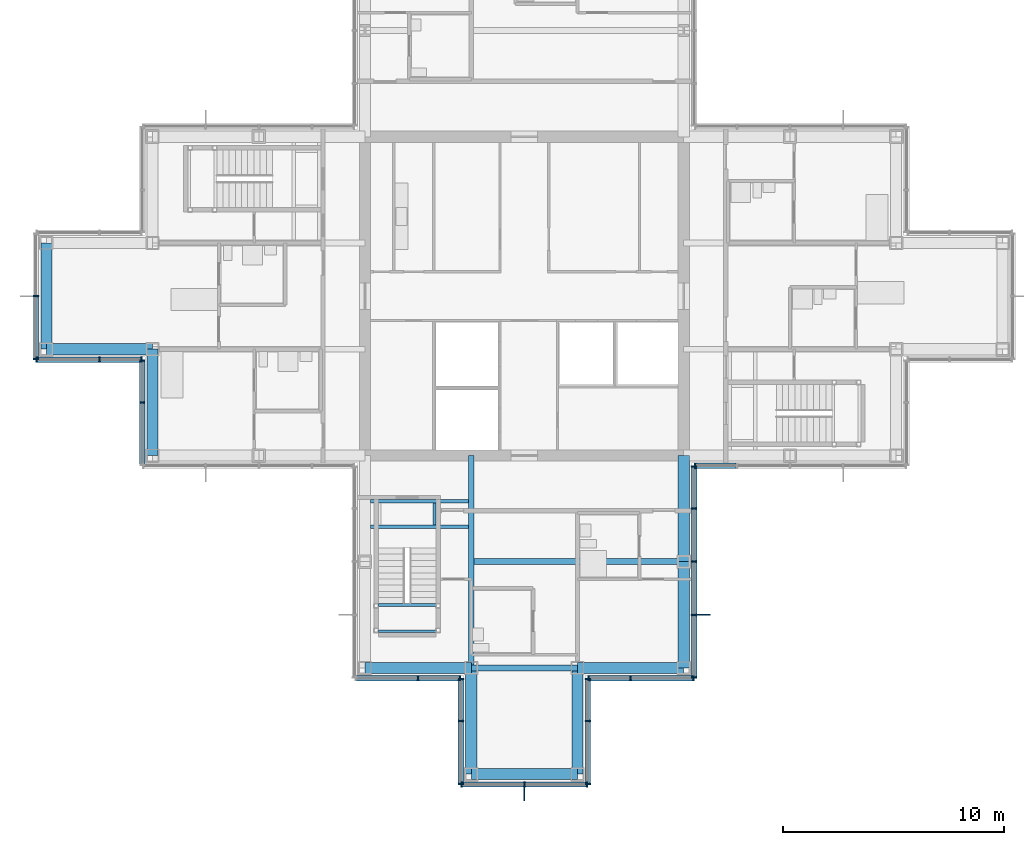
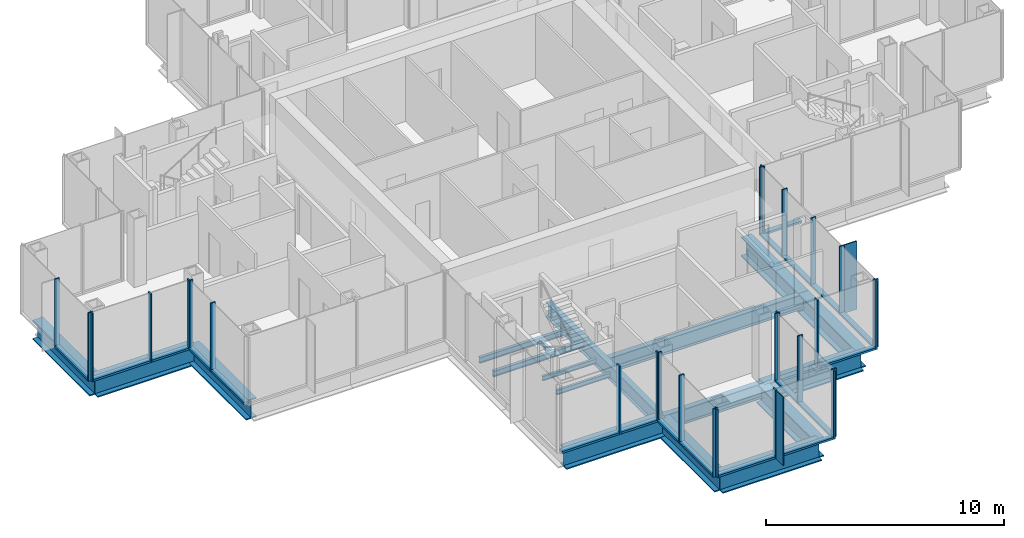
# One storey, part 6 of 17: 49 members, 18 beams, 10 elements without a shape of their own.
"""IFC4 building model written with IfcOpenShell, lengths in metres."""

from ifc_helpers import new_model, si_unit, direction, frame, origin, origin_2d, place, context, subcontext, project, spatial, rectangle, i_section, extrude, material, material_profile, profile_set, type_object, element, aggregate, save


model = new_model("IFC4")

# Units and contexts
model_context = context("Model", 3, precision=1e-05, world=origin(), true_north=direction((0.0, 1.0)))
body_context = subcontext(model_context, "Body", "Model", "MODEL_VIEW")
ifc_project = project(units=[si_unit("LENGTHUNIT", "METRE"), si_unit("AREAUNIT", "SQUARE_METRE"), si_unit("VOLUMEUNIT", "CUBIC_METRE"), si_unit("PLANEANGLEUNIT", "RADIAN"), si_unit("MASSUNIT", "GRAM", prefix="KILO")], contexts=[model_context])

# Site, building, storey
site_placement = place(None, origin())
site = spatial("IfcSite", under=ifc_project, at=site_placement, CompositionType="ELEMENT")
building_placement = place(site_placement, origin())
building = spatial("IfcBuilding", under=site, at=building_placement, Name="Kvirike Care Tower", CompositionType="ELEMENT")
storey_placement = place(building_placement, frame((0.0, 0.0, 165.5)))
storey = spatial("IfcBuildingStorey", under=building, at=storey_placement, Name="L45", CompositionType="ELEMENT", Elevation=165.5)

# Curtain wall, member
ifc_material_1 = material(Name="Anodised aluminium stick system", Category="aluminium")
curtain_wall_type = type_object("IfcCurtainWallType", Name="CW-C STICK CURTAIN WALL", PredefinedType="NOTDEFINED", material=ifc_material_1)
curtain_wall_1_placement = place(storey_placement, origin())
curtain_wall_1 = element("IfcCurtainWall", 1, at=curtain_wall_1_placement, inside=storey, type_object=curtain_wall_type, Name="Curtain wall L45 face 25", PredefinedType="NOTDEFINED")
ifc_material_2 = material(Name="Bronze anodised aluminium fin", Category="aluminium")
ifc_material_profile_1 = material_profile(ifc_material_2, rectangle(XDim=0.050048828125, YDim=0.60009765625, at=origin_2d()), Name="BRONZE FIN 600")
ifc_profile_set_1 = profile_set([ifc_material_profile_1], Name="Bronze anodised aluminium fin")
member_type_1 = type_object("IfcMemberType", Name="BRONZE FIN 600", PredefinedType="USERDEFINED", material=ifc_profile_set_1)
member_1_placement = place(storey_placement, frame((21.60009765625, 13.510009765625, 0.0), z_axis=(0.0, 0.0, 1.0), x_axis=(1.0, 0.0, 0.0)))
member_1 = element("IfcMember", 2, at=member_1_placement, type_object=member_type_1, Name="Bronze fin L45 face 25.2", ObjectType="FIN", PredefinedType="USERDEFINED", context=body_context, shape_type="SweptSolid", body=[
    extrude(rectangle(XDim=0.050048828125, YDim=0.60009765625, at=origin_2d()), origin(), (0.0, 0.0, 1.0), 3.5),
])

curtain_wall_2_placement = place(storey_placement, origin())
curtain_wall_2 = element("IfcCurtainWall", 3, at=curtain_wall_2_placement, inside=storey, type_object=curtain_wall_type, Name="Curtain wall L45 face 28", PredefinedType="NOTDEFINED")
member_2_placement = place(storey_placement, frame((29.68994140625, 21.60009765625, 0.0), z_axis=(0.0, 0.0, 1.0), x_axis=(0.0, 1.0, 0.0)))
member_2 = element("IfcMember", 4, at=member_2_placement, type_object=member_type_1, Name="Bronze fin L45 face 28.2", ObjectType="FIN", PredefinedType="USERDEFINED", context=body_context, shape_type="SweptSolid", body=[
    extrude(rectangle(XDim=0.050048828125, YDim=0.60009765625, at=origin_2d()), origin(), (0.0, 0.0, 1.0), 3.5),
])

curtain_wall_3_placement = place(storey_placement, origin())
curtain_wall_3 = element("IfcCurtainWall", 5, at=curtain_wall_3_placement, inside=storey, type_object=curtain_wall_type, Name="Curtain wall L45 face 1", PredefinedType="NOTDEFINED")
ifc_material_3 = material(Name="Bronze anodised aluminium mullion", Category="aluminium")
ifc_material_profile_2 = material_profile(ifc_material_3, rectangle(XDim=0.06494140625, YDim=0.239990234375, at=origin_2d()), Name="CW-C MULLION 65x240")
ifc_profile_set_2 = profile_set([ifc_material_profile_2], Name="Bronze anodised aluminium mullion")
member_type_2 = type_object("IfcMemberType", Name="CW-C MULLION 65x240", PredefinedType="MULLION", material=ifc_profile_set_2)
member_3_placement = place(storey_placement, frame((29.302490234375, 28.330078125, 0.0), z_axis=(0.0, 0.0, 1.0), x_axis=(1.0, 0.0, 0.0)))
member_3 = element("IfcMember", 6, at=member_3_placement, type_object=member_type_2, Name="CW-C mullion L45 face 1.1", PredefinedType="MULLION", context=body_context, shape_type="SweptSolid", body=[
    extrude(rectangle(XDim=0.06494140625, YDim=0.239990234375, at=origin_2d()), origin(), (0.0, 0.0, 1.0), 3.5),
])

# Curtain wall, members
curtain_wall_4_placement = place(storey_placement, origin())
curtain_wall_4 = element("IfcCurtainWall", 7, at=curtain_wall_4_placement, inside=storey, type_object=curtain_wall_type, Name="Curtain wall L45 face 18", PredefinedType="NOTDEFINED")
member_4_placement = place(storey_placement, frame((-0.469970703125, 36.0, 0.0), z_axis=(0.0, 0.0, 1.0), x_axis=(0.0, -1.0, 0.0)))
member_4 = element("IfcMember", 8, at=member_4_placement, type_object=member_type_2, Name="CW-C mullion L45 face 18.2", PredefinedType="MULLION", context=body_context, shape_type="SweptSolid", body=[
    extrude(rectangle(XDim=0.06494140625, YDim=0.239990234375, at=origin_2d()), origin(), (0.0, 0.0, 1.0), 3.5),
])
member_5_placement = place(storey_placement, frame((-0.469970703125, 33.16259765625, 0.0), z_axis=(0.0, 0.0, 1.0), x_axis=(0.0, -1.0, 0.0)))
member_5 = element("IfcMember", 9, at=member_5_placement, type_object=member_type_2, Name="CW-C mullion L45 face 18.3", PredefinedType="MULLION", context=body_context, shape_type="SweptSolid", body=[
    extrude(rectangle(XDim=0.06494140625, YDim=0.239990234375, at=origin_2d()), origin(), (0.0, 0.0, 1.0), 3.5),
])

curtain_wall_5_placement = place(storey_placement, origin())
curtain_wall_5 = element("IfcCurtainWall", 10, at=curtain_wall_5_placement, inside=storey, type_object=curtain_wall_type, Name="Curtain wall L45 face 19", PredefinedType="NOTDEFINED")
member_6_placement = place(storey_placement, frame((-0.4375, 33.1298828125, 0.0), z_axis=(0.0, 0.0, 1.0), x_axis=(1.0, 0.0, 0.0)))
member_6 = element("IfcMember", 11, at=member_6_placement, type_object=member_type_2, Name="CW-C mullion L45 face 19.1", PredefinedType="MULLION", context=body_context, shape_type="SweptSolid", body=[
    extrude(rectangle(XDim=0.06494140625, YDim=0.239990234375, at=origin_2d()), origin(), (0.0, 0.0, 1.0), 3.5),
])
member_7_placement = place(storey_placement, frame((2.39990234375, 33.1298828125, 0.0), z_axis=(0.0, 0.0, 1.0), x_axis=(1.0, 0.0, 0.0)))
member_7 = element("IfcMember", 12, at=member_7_placement, type_object=member_type_2, Name="CW-C mullion L45 face 19.2", PredefinedType="MULLION", context=body_context, shape_type="SweptSolid", body=[
    extrude(rectangle(XDim=0.06494140625, YDim=0.239990234375, at=origin_2d()), origin(), (0.0, 0.0, 1.0), 3.5),
])
member_8_placement = place(storey_placement, frame((4.297607421875, 33.1298828125, 0.0), z_axis=(0.0, 0.0, 1.0), x_axis=(1.0, 0.0, 0.0)))
member_8 = element("IfcMember", 13, at=member_8_placement, type_object=member_type_2, Name="CW-C mullion L45 face 19.3", PredefinedType="MULLION", context=body_context, shape_type="SweptSolid", body=[
    extrude(rectangle(XDim=0.06494140625, YDim=0.239990234375, at=origin_2d()), origin(), (0.0, 0.0, 1.0), 3.5),
])

curtain_wall_6_placement = place(storey_placement, origin())
curtain_wall_6 = element("IfcCurtainWall", 14, at=curtain_wall_6_placement, inside=storey, type_object=curtain_wall_type, Name="Curtain wall L45 face 20", PredefinedType="NOTDEFINED")
member_9_placement = place(storey_placement, frame((4.330078125, 33.097412109375, 0.0), z_axis=(0.0, 0.0, 1.0), x_axis=(0.0, -1.0, 0.0)))
member_9 = element("IfcMember", 15, at=member_9_placement, type_object=member_type_2, Name="CW-C mullion L45 face 20.1", PredefinedType="MULLION", context=body_context, shape_type="SweptSolid", body=[
    extrude(rectangle(XDim=0.06494140625, YDim=0.239990234375, at=origin_2d()), origin(), (0.0, 0.0, 1.0), 3.5),
])
member_10_placement = place(storey_placement, frame((4.330078125, 31.199951171875, 0.0), z_axis=(0.0, 0.0, 1.0), x_axis=(0.0, -1.0, 0.0)))
member_10 = element("IfcMember", 16, at=member_10_placement, type_object=member_type_2, Name="CW-C mullion L45 face 20.2", PredefinedType="MULLION", context=body_context, shape_type="SweptSolid", body=[
    extrude(rectangle(XDim=0.06494140625, YDim=0.239990234375, at=origin_2d()), origin(), (0.0, 0.0, 1.0), 3.5),
])

curtain_wall_7_placement = place(storey_placement, origin())
curtain_wall_7 = element("IfcCurtainWall", 17, at=curtain_wall_7_placement, inside=storey, type_object=curtain_wall_type, Name="Curtain wall L45 face 23", PredefinedType="NOTDEFINED")
member_11_placement = place(storey_placement, frame((16.800048828125, 18.72998046875, 0.0), z_axis=(0.0, 0.0, 1.0), x_axis=(1.0, 0.0, 0.0)))
member_11 = element("IfcMember", 18, at=member_11_placement, type_object=member_type_2, Name="CW-C mullion L45 face 23.2", PredefinedType="MULLION", context=body_context, shape_type="SweptSolid", body=[
    extrude(rectangle(XDim=0.06494140625, YDim=0.239990234375, at=origin_2d()), origin(), (0.0, 0.0, 1.0), 3.5),
])
member_12_placement = place(storey_placement, frame((18.697509765625, 18.72998046875, 0.0), z_axis=(0.0, 0.0, 1.0), x_axis=(1.0, 0.0, 0.0)))
member_12 = element("IfcMember", 19, at=member_12_placement, type_object=member_type_2, Name="CW-C mullion L45 face 23.3", PredefinedType="MULLION", context=body_context, shape_type="SweptSolid", body=[
    extrude(rectangle(XDim=0.06494140625, YDim=0.239990234375, at=origin_2d()), origin(), (0.0, 0.0, 1.0), 3.5),
])

curtain_wall_8_placement = place(storey_placement, origin())
curtain_wall_8 = element("IfcCurtainWall", 20, at=curtain_wall_8_placement, inside=storey, type_object=curtain_wall_type, Name="Curtain wall L45 face 24", PredefinedType="NOTDEFINED")
member_13_placement = place(storey_placement, frame((18.72998046875, 18.697509765625, 0.0), z_axis=(0.0, 0.0, 1.0), x_axis=(0.0, -1.0, 0.0)))
member_13 = element("IfcMember", 21, at=member_13_placement, type_object=member_type_2, Name="CW-C mullion L45 face 24.1", PredefinedType="MULLION", context=body_context, shape_type="SweptSolid", body=[
    extrude(rectangle(XDim=0.06494140625, YDim=0.239990234375, at=origin_2d()), origin(), (0.0, 0.0, 1.0), 3.5),
])
member_14_placement = place(storey_placement, frame((18.72998046875, 16.800048828125, 0.0), z_axis=(0.0, 0.0, 1.0), x_axis=(0.0, -1.0, 0.0)))
member_14 = element("IfcMember", 22, at=member_14_placement, type_object=member_type_2, Name="CW-C mullion L45 face 24.2", PredefinedType="MULLION", context=body_context, shape_type="SweptSolid", body=[
    extrude(rectangle(XDim=0.06494140625, YDim=0.239990234375, at=origin_2d()), origin(), (0.0, 0.0, 1.0), 3.5),
])
member_15_placement = place(storey_placement, frame((18.72998046875, 13.96240234375, 0.0), z_axis=(0.0, 0.0, 1.0), x_axis=(0.0, -1.0, 0.0)))
member_15 = element("IfcMember", 23, at=member_15_placement, type_object=member_type_2, Name="CW-C mullion L45 face 24.3", PredefinedType="MULLION", context=body_context, shape_type="SweptSolid", body=[
    extrude(rectangle(XDim=0.06494140625, YDim=0.239990234375, at=origin_2d()), origin(), (0.0, 0.0, 1.0), 3.5),
])

# Member
member_16_placement = place(storey_placement, frame((18.762451171875, 13.929931640625, 0.0), z_axis=(0.0, 0.0, 1.0), x_axis=(1.0, 0.0, 0.0)))
member_16 = element("IfcMember", 24, at=member_16_placement, type_object=member_type_2, Name="CW-C mullion L45 face 25.1", PredefinedType="MULLION", context=body_context, shape_type="SweptSolid", body=[
    extrude(rectangle(XDim=0.06494140625, YDim=0.239990234375, at=origin_2d()), origin(), (0.0, 0.0, 1.0), 3.5),
])

member_17_placement = place(storey_placement, frame((21.60009765625, 13.929931640625, 0.0), z_axis=(0.0, 0.0, 1.0), x_axis=(1.0, 0.0, 0.0)))
member_17 = element("IfcMember", 25, at=member_17_placement, type_object=member_type_2, Name="CW-C mullion L45 face 25.2", PredefinedType="MULLION", context=body_context, shape_type="SweptSolid", body=[
    extrude(rectangle(XDim=0.06494140625, YDim=0.239990234375, at=origin_2d()), origin(), (0.0, 0.0, 1.0), 3.5),
])

member_18_placement = place(storey_placement, frame((24.4375, 13.929931640625, 0.0), z_axis=(0.0, 0.0, 1.0), x_axis=(1.0, 0.0, 0.0)))
member_18 = element("IfcMember", 26, at=member_18_placement, type_object=member_type_2, Name="CW-C mullion L45 face 25.3", PredefinedType="MULLION", context=body_context, shape_type="SweptSolid", body=[
    extrude(rectangle(XDim=0.06494140625, YDim=0.239990234375, at=origin_2d()), origin(), (0.0, 0.0, 1.0), 3.5),
])

# Curtain wall, members
curtain_wall_9_placement = place(storey_placement, origin())
curtain_wall_9 = element("IfcCurtainWall", 27, at=curtain_wall_9_placement, inside=storey, type_object=curtain_wall_type, Name="Curtain wall L45 face 26", PredefinedType="NOTDEFINED")
member_19_placement = place(storey_placement, frame((24.469970703125, 13.96240234375, 0.0), z_axis=(0.0, 0.0, 1.0), x_axis=(0.0, 1.0, 0.0)))
member_19 = element("IfcMember", 28, at=member_19_placement, type_object=member_type_2, Name="CW-C mullion L45 face 26.1", PredefinedType="MULLION", context=body_context, shape_type="SweptSolid", body=[
    extrude(rectangle(XDim=0.06494140625, YDim=0.239990234375, at=origin_2d()), origin(), (0.0, 0.0, 1.0), 3.5),
])
member_20_placement = place(storey_placement, frame((24.469970703125, 16.800048828125, 0.0), z_axis=(0.0, 0.0, 1.0), x_axis=(0.0, 1.0, 0.0)))
member_20 = element("IfcMember", 29, at=member_20_placement, type_object=member_type_2, Name="CW-C mullion L45 face 26.2", PredefinedType="MULLION", context=body_context, shape_type="SweptSolid", body=[
    extrude(rectangle(XDim=0.06494140625, YDim=0.239990234375, at=origin_2d()), origin(), (0.0, 0.0, 1.0), 3.5),
])
member_21_placement = place(storey_placement, frame((24.469970703125, 18.697509765625, 0.0), z_axis=(0.0, 0.0, 1.0), x_axis=(0.0, 1.0, 0.0)))
member_21 = element("IfcMember", 30, at=member_21_placement, type_object=member_type_2, Name="CW-C mullion L45 face 26.3", PredefinedType="MULLION", context=body_context, shape_type="SweptSolid", body=[
    extrude(rectangle(XDim=0.06494140625, YDim=0.239990234375, at=origin_2d()), origin(), (0.0, 0.0, 1.0), 3.5),
])

curtain_wall_10_placement = place(storey_placement, origin())
curtain_wall_10 = element("IfcCurtainWall", 31, at=curtain_wall_10_placement, inside=storey, type_object=curtain_wall_type, Name="Curtain wall L45 face 27", PredefinedType="NOTDEFINED")
member_22_placement = place(storey_placement, frame((24.50244140625, 18.72998046875, 0.0), z_axis=(0.0, 0.0, 1.0), x_axis=(1.0, 0.0, 0.0)))
member_22 = element("IfcMember", 32, at=member_22_placement, type_object=member_type_2, Name="CW-C mullion L45 face 27.1", PredefinedType="MULLION", context=body_context, shape_type="SweptSolid", body=[
    extrude(rectangle(XDim=0.06494140625, YDim=0.239990234375, at=origin_2d()), origin(), (0.0, 0.0, 1.0), 3.5),
])
member_23_placement = place(storey_placement, frame((26.39990234375, 18.72998046875, 0.0), z_axis=(0.0, 0.0, 1.0), x_axis=(1.0, 0.0, 0.0)))
member_23 = element("IfcMember", 33, at=member_23_placement, type_object=member_type_2, Name="CW-C mullion L45 face 27.2", PredefinedType="MULLION", context=body_context, shape_type="SweptSolid", body=[
    extrude(rectangle(XDim=0.06494140625, YDim=0.239990234375, at=origin_2d()), origin(), (0.0, 0.0, 1.0), 3.5),
])
member_24_placement = place(storey_placement, frame((29.237548828125, 18.72998046875, 0.0), z_axis=(0.0, 0.0, 1.0), x_axis=(1.0, 0.0, 0.0)))
member_24 = element("IfcMember", 34, at=member_24_placement, type_object=member_type_2, Name="CW-C mullion L45 face 27.3", PredefinedType="MULLION", context=body_context, shape_type="SweptSolid", body=[
    extrude(rectangle(XDim=0.06494140625, YDim=0.239990234375, at=origin_2d()), origin(), (0.0, 0.0, 1.0), 3.5),
])

# Member
member_25_placement = place(storey_placement, frame((29.27001953125, 18.762451171875, 0.0), z_axis=(0.0, 0.0, 1.0), x_axis=(0.0, 1.0, 0.0)))
member_25 = element("IfcMember", 35, at=member_25_placement, type_object=member_type_2, Name="CW-C mullion L45 face 28.1", PredefinedType="MULLION", context=body_context, shape_type="SweptSolid", body=[
    extrude(rectangle(XDim=0.06494140625, YDim=0.239990234375, at=origin_2d()), origin(), (0.0, 0.0, 1.0), 3.5),
])

member_26_placement = place(storey_placement, frame((29.27001953125, 21.60009765625, 0.0), z_axis=(0.0, 0.0, 1.0), x_axis=(0.0, 1.0, 0.0)))
member_26 = element("IfcMember", 36, at=member_26_placement, type_object=member_type_2, Name="CW-C mullion L45 face 28.2", PredefinedType="MULLION", context=body_context, shape_type="SweptSolid", body=[
    extrude(rectangle(XDim=0.06494140625, YDim=0.239990234375, at=origin_2d()), origin(), (0.0, 0.0, 1.0), 3.5),
])

member_27_placement = place(storey_placement, frame((29.27001953125, 24.0, 0.0), z_axis=(0.0, 0.0, 1.0), x_axis=(0.0, 1.0, 0.0)))
member_27 = element("IfcMember", 37, at=member_27_placement, type_object=member_type_2, Name="CW-C mullion L45 face 28.3", PredefinedType="MULLION", context=body_context, shape_type="SweptSolid", body=[
    extrude(rectangle(XDim=0.06494140625, YDim=0.239990234375, at=origin_2d()), origin(), (0.0, 0.0, 1.0), 3.5),
])

member_28_placement = place(storey_placement, frame((29.27001953125, 26.39990234375, 0.0), z_axis=(0.0, 0.0, 1.0), x_axis=(0.0, 1.0, 0.0)))
member_28 = element("IfcMember", 38, at=member_28_placement, type_object=member_type_2, Name="CW-C mullion L45 face 28.4", PredefinedType="MULLION", context=body_context, shape_type="SweptSolid", body=[
    extrude(rectangle(XDim=0.06494140625, YDim=0.239990234375, at=origin_2d()), origin(), (0.0, 0.0, 1.0), 3.5),
])

member_29_placement = place(storey_placement, frame((29.27001953125, 28.297607421875, 0.0), z_axis=(0.0, 0.0, 1.0), x_axis=(0.0, 1.0, 0.0)))
member_29 = element("IfcMember", 39, at=member_29_placement, type_object=member_type_2, Name="CW-C mullion L45 face 28.5", PredefinedType="MULLION", context=body_context, shape_type="SweptSolid", body=[
    extrude(rectangle(XDim=0.06494140625, YDim=0.239990234375, at=origin_2d()), origin(), (0.0, 0.0, 1.0), 3.5),
])

ifc_material_4 = material(Name="Bronze anodised aluminium transom", Category="aluminium")
ifc_material_profile_3 = material_profile(ifc_material_4, rectangle(XDim=0.239990234375, YDim=0.10009765625, at=origin_2d()), Name="CW-C TRANSOM 240x100")
ifc_profile_set_3 = profile_set([ifc_material_profile_3], Name="Bronze anodised aluminium transom")
member_type_3 = type_object("IfcMemberType", Name="CW-C TRANSOM 240x100", PredefinedType="USERDEFINED", material=ifc_profile_set_3)
member_30_placement = place(storey_placement, frame((29.3349609375, 28.330078125, 0.050048828125), z_axis=(1.0, 0.0, 0.0), x_axis=(0.0, 1.0, 0.0)))
member_30 = element("IfcMember", 40, at=member_30_placement, type_object=member_type_3, Name="CW-C sill transom L45 face 1.1", ObjectType="TRANSOM", PredefinedType="USERDEFINED", context=body_context, shape_type="SweptSolid", body=[
    extrude(rectangle(XDim=0.239990234375, YDim=0.10009765625, at=origin_2d()), origin(), (0.0, 0.0, 1.0), 1.83251953125),
])

aggregate(curtain_wall_3, [member_3, member_30])

member_31_placement = place(storey_placement, frame((-0.469970703125, 35.967529296875, 0.050048828125), z_axis=(0.0, -1.0, 0.0), x_axis=(1.0, 0.0, 0.0)))
member_31 = element("IfcMember", 41, at=member_31_placement, type_object=member_type_3, Name="CW-C sill transom L45 face 18.2", ObjectType="TRANSOM", PredefinedType="USERDEFINED", context=body_context, shape_type="SweptSolid", body=[
    extrude(rectangle(XDim=0.239990234375, YDim=0.10009765625, at=origin_2d()), origin(), (0.0, 0.0, 1.0), 2.7724609375),
])

aggregate(curtain_wall_4, [member_4, member_5, member_31])

member_32_placement = place(storey_placement, frame((-0.405029296875, 33.1298828125, 0.050048828125), z_axis=(1.0, 0.0, 0.0), x_axis=(0.0, 1.0, 0.0)))
member_32 = element("IfcMember", 42, at=member_32_placement, type_object=member_type_3, Name="CW-C sill transom L45 face 19.1", ObjectType="TRANSOM", PredefinedType="USERDEFINED", context=body_context, shape_type="SweptSolid", body=[
    extrude(rectangle(XDim=0.239990234375, YDim=0.10009765625, at=origin_2d()), origin(), (0.0, 0.0, 1.0), 2.7724609375),
])

member_33_placement = place(storey_placement, frame((2.4326171875, 33.1298828125, 0.050048828125), z_axis=(1.0, 0.0, 0.0), x_axis=(0.0, 1.0, 0.0)))
member_33 = element("IfcMember", 43, at=member_33_placement, type_object=member_type_3, Name="CW-C sill transom L45 face 19.2", ObjectType="TRANSOM", PredefinedType="USERDEFINED", context=body_context, shape_type="SweptSolid", body=[
    extrude(rectangle(XDim=0.239990234375, YDim=0.10009765625, at=origin_2d()), origin(), (0.0, 0.0, 1.0), 1.832275390625),
])

aggregate(curtain_wall_5, [member_6, member_7, member_8, member_32, member_33])

member_34_placement = place(storey_placement, frame((4.330078125, 33.06494140625, 0.050048828125), z_axis=(0.0, -1.0, 0.0), x_axis=(1.0, 0.0, 0.0)))
member_34 = element("IfcMember", 44, at=member_34_placement, type_object=member_type_3, Name="CW-C sill transom L45 face 20.1", ObjectType="TRANSOM", PredefinedType="USERDEFINED", context=body_context, shape_type="SweptSolid", body=[
    extrude(rectangle(XDim=0.239990234375, YDim=0.10009765625, at=origin_2d()), origin(), (0.0, 0.0, 1.0), 1.83251953125),
])

member_35_placement = place(storey_placement, frame((4.330078125, 31.16748046875, 0.050048828125), z_axis=(0.0, -1.0, 0.0), x_axis=(1.0, 0.0, 0.0)))
member_35 = element("IfcMember", 45, at=member_35_placement, type_object=member_type_3, Name="CW-C sill transom L45 face 20.2", ObjectType="TRANSOM", PredefinedType="USERDEFINED", context=body_context, shape_type="SweptSolid", body=[
    extrude(rectangle(XDim=0.239990234375, YDim=0.10009765625, at=origin_2d()), origin(), (0.0, 0.0, 1.0), 2.7724609375),
])

aggregate(curtain_wall_6, [member_9, member_10, member_34, member_35])

member_36_placement = place(storey_placement, frame((13.9951171875, 18.72998046875, 0.050048828125), z_axis=(1.0, 0.0, 0.0), x_axis=(0.0, 1.0, 0.0)))
member_36 = element("IfcMember", 46, at=member_36_placement, type_object=member_type_3, Name="CW-C sill transom L45 face 23.1", ObjectType="TRANSOM", PredefinedType="USERDEFINED", context=body_context, shape_type="SweptSolid", body=[
    extrude(rectangle(XDim=0.239990234375, YDim=0.10009765625, at=origin_2d()), origin(), (0.0, 0.0, 1.0), 2.7724609375),
])

member_37_placement = place(storey_placement, frame((16.83251953125, 18.72998046875, 0.050048828125), z_axis=(1.0, 0.0, 0.0), x_axis=(0.0, 1.0, 0.0)))
member_37 = element("IfcMember", 47, at=member_37_placement, type_object=member_type_3, Name="CW-C sill transom L45 face 23.2", ObjectType="TRANSOM", PredefinedType="USERDEFINED", context=body_context, shape_type="SweptSolid", body=[
    extrude(rectangle(XDim=0.239990234375, YDim=0.10009765625, at=origin_2d()), origin(), (0.0, 0.0, 1.0), 1.83251953125),
])

aggregate(curtain_wall_7, [member_11, member_12, member_36, member_37])

member_38_placement = place(storey_placement, frame((18.72998046875, 18.6650390625, 0.050048828125), z_axis=(0.0, -1.0, 0.0), x_axis=(1.0, 0.0, 0.0)))
member_38 = element("IfcMember", 48, at=member_38_placement, type_object=member_type_3, Name="CW-C sill transom L45 face 24.1", ObjectType="TRANSOM", PredefinedType="USERDEFINED", context=body_context, shape_type="SweptSolid", body=[
    extrude(rectangle(XDim=0.239990234375, YDim=0.10009765625, at=origin_2d()), origin(), (0.0, 0.0, 1.0), 1.83251953125),
])

member_39_placement = place(storey_placement, frame((18.72998046875, 16.767578125, 0.050048828125), z_axis=(0.0, -1.0, 0.0), x_axis=(1.0, 0.0, 0.0)))
member_39 = element("IfcMember", 49, at=member_39_placement, type_object=member_type_3, Name="CW-C sill transom L45 face 24.2", ObjectType="TRANSOM", PredefinedType="USERDEFINED", context=body_context, shape_type="SweptSolid", body=[
    extrude(rectangle(XDim=0.239990234375, YDim=0.10009765625, at=origin_2d()), origin(), (0.0, 0.0, 1.0), 2.7724609375),
])

aggregate(curtain_wall_8, [member_13, member_14, member_15, member_38, member_39])

member_40_placement = place(storey_placement, frame((18.794921875, 13.929931640625, 0.050048828125), z_axis=(1.0, 0.0, 0.0), x_axis=(0.0, 1.0, 0.0)))
member_40 = element("IfcMember", 50, at=member_40_placement, type_object=member_type_3, Name="CW-C sill transom L45 face 25.1", ObjectType="TRANSOM", PredefinedType="USERDEFINED", context=body_context, shape_type="SweptSolid", body=[
    extrude(rectangle(XDim=0.239990234375, YDim=0.10009765625, at=origin_2d()), origin(), (0.0, 0.0, 1.0), 2.7724609375),
])

member_41_placement = place(storey_placement, frame((21.632568359375, 13.929931640625, 0.050048828125), z_axis=(1.0, 0.0, 0.0), x_axis=(0.0, 1.0, 0.0)))
member_41 = element("IfcMember", 51, at=member_41_placement, type_object=member_type_3, Name="CW-C sill transom L45 face 25.2", ObjectType="TRANSOM", PredefinedType="USERDEFINED", context=body_context, shape_type="SweptSolid", body=[
    extrude(rectangle(XDim=0.239990234375, YDim=0.10009765625, at=origin_2d()), origin(), (0.0, 0.0, 1.0), 2.7724609375),
])

aggregate(curtain_wall_1, [member_16, member_17, member_1, member_18, member_40, member_41])

member_42_placement = place(storey_placement, frame((24.469970703125, 13.9951171875, 0.050048828125), z_axis=(0.0, 1.0, 0.0), x_axis=(-1.0, 0.0, 0.0)))
member_42 = element("IfcMember", 52, at=member_42_placement, type_object=member_type_3, Name="CW-C sill transom L45 face 26.1", ObjectType="TRANSOM", PredefinedType="USERDEFINED", context=body_context, shape_type="SweptSolid", body=[
    extrude(rectangle(XDim=0.239990234375, YDim=0.10009765625, at=origin_2d()), origin(), (0.0, 0.0, 1.0), 2.7724609375),
])

member_43_placement = place(storey_placement, frame((24.469970703125, 16.83251953125, 0.050048828125), z_axis=(0.0, 1.0, 0.0), x_axis=(-1.0, 0.0, 0.0)))
member_43 = element("IfcMember", 53, at=member_43_placement, type_object=member_type_3, Name="CW-C sill transom L45 face 26.2", ObjectType="TRANSOM", PredefinedType="USERDEFINED", context=body_context, shape_type="SweptSolid", body=[
    extrude(rectangle(XDim=0.239990234375, YDim=0.10009765625, at=origin_2d()), origin(), (0.0, 0.0, 1.0), 1.83251953125),
])

aggregate(curtain_wall_9, [member_19, member_20, member_21, member_42, member_43])

member_44_placement = place(storey_placement, frame((24.534912109375, 18.72998046875, 0.050048828125), z_axis=(1.0, 0.0, 0.0), x_axis=(0.0, 1.0, 0.0)))
member_44 = element("IfcMember", 54, at=member_44_placement, type_object=member_type_3, Name="CW-C sill transom L45 face 27.1", ObjectType="TRANSOM", PredefinedType="USERDEFINED", context=body_context, shape_type="SweptSolid", body=[
    extrude(rectangle(XDim=0.239990234375, YDim=0.10009765625, at=origin_2d()), origin(), (0.0, 0.0, 1.0), 1.83251953125),
])

member_45_placement = place(storey_placement, frame((26.4326171875, 18.72998046875, 0.050048828125), z_axis=(1.0, 0.0, 0.0), x_axis=(0.0, 1.0, 0.0)))
member_45 = element("IfcMember", 55, at=member_45_placement, type_object=member_type_3, Name="CW-C sill transom L45 face 27.2", ObjectType="TRANSOM", PredefinedType="USERDEFINED", context=body_context, shape_type="SweptSolid", body=[
    extrude(rectangle(XDim=0.239990234375, YDim=0.10009765625, at=origin_2d()), origin(), (0.0, 0.0, 1.0), 2.7724609375),
])

aggregate(curtain_wall_10, [member_22, member_23, member_24, member_44, member_45])

member_46_placement = place(storey_placement, frame((29.27001953125, 18.794921875, 0.050048828125), z_axis=(0.0, 1.0, 0.0), x_axis=(-1.0, 0.0, 0.0)))
member_46 = element("IfcMember", 56, at=member_46_placement, type_object=member_type_3, Name="CW-C sill transom L45 face 28.1", ObjectType="TRANSOM", PredefinedType="USERDEFINED", context=body_context, shape_type="SweptSolid", body=[
    extrude(rectangle(XDim=0.239990234375, YDim=0.10009765625, at=origin_2d()), origin(), (0.0, 0.0, 1.0), 2.7724609375),
])

member_47_placement = place(storey_placement, frame((29.27001953125, 21.632568359375, 0.050048828125), z_axis=(0.0, 1.0, 0.0), x_axis=(-1.0, 0.0, 0.0)))
member_47 = element("IfcMember", 57, at=member_47_placement, type_object=member_type_3, Name="CW-C sill transom L45 face 28.2", ObjectType="TRANSOM", PredefinedType="USERDEFINED", context=body_context, shape_type="SweptSolid", body=[
    extrude(rectangle(XDim=0.239990234375, YDim=0.10009765625, at=origin_2d()), origin(), (0.0, 0.0, 1.0), 2.3349609375),
])

member_48_placement = place(storey_placement, frame((29.27001953125, 24.032470703125, 0.050048828125), z_axis=(0.0, 1.0, 0.0), x_axis=(-1.0, 0.0, 0.0)))
member_48 = element("IfcMember", 58, at=member_48_placement, type_object=member_type_3, Name="CW-C sill transom L45 face 28.3", ObjectType="TRANSOM", PredefinedType="USERDEFINED", context=body_context, shape_type="SweptSolid", body=[
    extrude(rectangle(XDim=0.239990234375, YDim=0.10009765625, at=origin_2d()), origin(), (0.0, 0.0, 1.0), 2.3349609375),
])

member_49_placement = place(storey_placement, frame((29.27001953125, 26.4326171875, 0.050048828125), z_axis=(0.0, 1.0, 0.0), x_axis=(-1.0, 0.0, 0.0)))
member_49 = element("IfcMember", 59, at=member_49_placement, type_object=member_type_3, Name="CW-C sill transom L45 face 28.4", ObjectType="TRANSOM", PredefinedType="USERDEFINED", context=body_context, shape_type="SweptSolid", body=[
    extrude(rectangle(XDim=0.239990234375, YDim=0.10009765625, at=origin_2d()), origin(), (0.0, 0.0, 1.0), 1.832275390625),
])

aggregate(curtain_wall_2, [member_25, member_26, member_2, member_27, member_28, member_29, member_46, member_47, member_48, member_49])

# Beams
ifc_material_5 = material(Name="Steel S355", Category="steel")
ifc_material_profile_4 = material_profile(ifc_material_5, i_section(OverallWidth=0.26806640625, OverallDepth=0.77001953125, WebThickness=0.015625, FlangeThickness=0.025390625, FilletRadius=0.01708984375, at=origin_2d()), Name="IPE 750x196")
ifc_profile_set_4 = profile_set([ifc_material_profile_4], Name="Steel S355")
beam_type_1 = type_object("IfcBeamType", Name="FLOOR BEAM IPE 750x196", PredefinedType="BEAM", material=ifc_profile_set_4)
beam_1_placement = place(storey_placement, frame((19.199951171875, 19.199951171875, -0.554931640625), z_axis=(1.0, 0.0, 0.0), x_axis=(0.0, 1.0, 0.0)))
element("IfcBeam", 60, at=beam_1_placement, inside=storey, type_object=beam_type_1, Name="Floor Beam E7-E8 L45", PredefinedType="BEAM", context=body_context, shape_type="SweptSolid", body=[
    extrude(i_section(OverallWidth=0.26806640625, OverallDepth=0.77001953125, WebThickness=0.015625, FlangeThickness=0.025390625, FilletRadius=0.01708984375, at=origin_2d()), origin(), (0.0, 0.0, 1.0), 4.800048828125),
])
for number, where, z_axis, x_axis, name in (
    (61, (19.199951171875, 24.0, -0.554931640625), (1.0, 0.0, 0.0), (0.0, 1.0, 0.0), "Floor Beam F7-F9 L45"),
    (62, (19.199951171875, 19.199951171875, -0.554931640625), (0.0, 1.0, 0.0), (-1.0, 0.0, 0.0), "Floor Beam E7-G7 L45"),
):
    element("IfcBeam", number, at=place(storey_placement, frame(where, z_axis=z_axis, x_axis=x_axis)), inside=storey, type_object=beam_type_1, Name=name, PredefinedType="BEAM", context=body_context, shape_type="SweptSolid", body=[
        extrude(i_section(OverallWidth=0.26806640625, OverallDepth=0.77001953125, WebThickness=0.015625, FlangeThickness=0.025390625, FilletRadius=0.01708984375, at=origin_2d()), origin(), (0.0, 0.0, 1.0), 9.60009765625),
    ])
ifc_material_6 = material(Name="Steel S355", Category="steel")
ifc_material_profile_5 = material_profile(ifc_material_6, i_section(OverallWidth=0.5, OverallDepth=1.0, WebThickness=0.030029296875, FlangeThickness=0.06005859375, at=origin_2d()), Name="PG 1000x500x30x60")
ifc_profile_set_5 = profile_set([ifc_material_profile_5], Name="Steel S355")
beam_type_2 = type_object("IfcBeamType", Name="SPANDREL PG 1000x500x30x60", PredefinedType="SPANDREL", material=ifc_profile_set_5)
for number, where, z_axis, x_axis, name in (
    (63, (19.199951171875, 14.39990234375, -0.669921875), (1.0, 0.0, 0.0), (0.0, 1.0, 0.0), "Spandrel D7-D8 L45"),
    (64, (14.39990234375, 19.199951171875, -0.669921875), (1.0, 0.0, 0.0), (0.0, 1.0, 0.0), "Spandrel E6-E7 L45"),
    (65, (24.0, 19.199951171875, -0.669921875), (1.0, 0.0, 0.0), (0.0, 1.0, 0.0), "Spandrel E8-E9 L45"),
    (66, (0.0, 33.60009765625, -0.669921875), (1.0, 0.0, 0.0), (0.0, 1.0, 0.0), "Spandrel H3-H4 L45"),
):
    element("IfcBeam", number, at=place(storey_placement, frame(where, z_axis=z_axis, x_axis=x_axis)), inside=storey, type_object=beam_type_2, Name=name, PredefinedType="SPANDREL", context=body_context, shape_type="SweptSolid", body=[
        extrude(i_section(OverallWidth=0.5, OverallDepth=1.0, WebThickness=0.030029296875, FlangeThickness=0.06005859375, at=origin_2d()), origin(), (0.0, 0.0, 1.0), 4.800048828125),
    ])
beam_2_placement = place(storey_placement, frame((0.0, 33.60009765625, -0.669921875), z_axis=(0.0, 1.0, 0.0), x_axis=(-1.0, 0.0, 0.0)))
element("IfcBeam", 67, at=beam_2_placement, inside=storey, type_object=beam_type_2, Name="Spandrel H3-J3 L45", PredefinedType="SPANDREL", context=body_context, shape_type="SweptSolid", body=[
    extrude(i_section(OverallWidth=0.5, OverallDepth=1.0, WebThickness=0.030029296875, FlangeThickness=0.06005859375, at=origin_2d()), origin(), (0.0, 0.0, 1.0), 4.7998046875),
])
for number, where, z_axis, x_axis, name in (
    (68, (4.800048828125, 28.800048828125, -0.669921875), (0.0, 1.0, 0.0), (-1.0, 0.0, 0.0), "Spandrel G4-H4 L45"),
    (69, (19.199951171875, 14.39990234375, -0.669921875), (0.0, 1.0, 0.0), (-1.0, 0.0, 0.0), "Spandrel D7-E7 L45"),
    (70, (24.0, 14.39990234375, -0.669921875), (0.0, 1.0, 0.0), (-1.0, 0.0, 0.0), "Spandrel D8-E8 L45"),
    (71, (28.800048828125, 19.199951171875, -0.669921875), (0.0, 1.0, 0.0), (-1.0, 0.0, 0.0), "Spandrel E9-F9 L45"),
    (72, (28.800048828125, 24.0, -0.669921875), (0.0, 1.0, 0.0), (-1.0, 0.0, 0.0), "Spandrel F9-G9 L45"),
):
    element("IfcBeam", number, at=place(storey_placement, frame(where, z_axis=z_axis, x_axis=x_axis)), inside=storey, type_object=beam_type_2, Name=name, PredefinedType="SPANDREL", context=body_context, shape_type="SweptSolid", body=[
        extrude(i_section(OverallWidth=0.5, OverallDepth=1.0, WebThickness=0.030029296875, FlangeThickness=0.06005859375, at=origin_2d()), origin(), (0.0, 0.0, 1.0), 4.800048828125),
    ])
ifc_material_7 = material(Name="Steel S355", Category="steel")
ifc_material_profile_6 = material_profile(ifc_material_7, i_section(OverallWidth=0.1201171875, OverallDepth=0.239990234375, WebThickness=0.006103515625, FlangeThickness=0.009765625, FilletRadius=0.014892578125, at=origin_2d()), Name="IPE 240")
ifc_profile_set_6 = profile_set([ifc_material_profile_6], Name="Steel S355")
beam_type_3 = type_object("IfcBeamType", Name="STAIR LANDING BEAM IPE 240", PredefinedType="BEAM", material=ifc_profile_set_6)
for number, where, z_axis, x_axis, name in (
    (73, (15.0, 20.860107421875, 1.429931640625), (1.0, 0.0, 0.0), (0.0, 1.0, 0.0), "Stair 5 landing beam back L45"),
    (74, (15.0, 22.0400390625, 1.429931640625), (1.0, 0.0, 0.0), (0.0, 1.0, 0.0), "Stair 5 landing beam front L45"),
):
    element("IfcBeam", number, at=place(storey_placement, frame(where, z_axis=z_axis, x_axis=x_axis)), inside=storey, type_object=beam_type_3, Name=name, PredefinedType="BEAM", context=body_context, shape_type="SweptSolid", body=[
        extrude(i_section(OverallWidth=0.1201171875, OverallDepth=0.239990234375, WebThickness=0.006103515625, FlangeThickness=0.009765625, FilletRadius=0.014892578125, at=origin_2d()), origin(), (0.0, 0.0, 1.0), 2.60009765625),
    ])
beam_3_placement = place(storey_placement, frame((17.5400390625, 25.64990234375, -0.320068359375), z_axis=(0.0, 1.0, 0.0), x_axis=(-1.0, 0.0, 0.0)))
element("IfcBeam", 75, at=beam_3_placement, inside=storey, type_object=beam_type_3, Name="Stair 5 landing edge beam 2 L45", PredefinedType="BEAM", context=body_context, shape_type="SweptSolid", body=[
    extrude(i_section(OverallWidth=0.1201171875, OverallDepth=0.239990234375, WebThickness=0.006103515625, FlangeThickness=0.009765625, FilletRadius=0.014892578125, at=origin_2d()), origin(), (0.0, 0.0, 1.0), 1.0),
])
ifc_material_8 = material(Name="Steel S355", Category="steel")
ifc_material_profile_7 = material_profile(ifc_material_8, i_section(OverallWidth=0.14990234375, OverallDepth=0.300048828125, WebThickness=0.007080078125, FlangeThickness=0.0107421875, FilletRadius=0.014892578125, at=origin_2d()), Name="IPE 300")
ifc_profile_set_7 = profile_set([ifc_material_profile_7], Name="Steel S355")
beam_type_4 = type_object("IfcBeamType", Name="STAIR TRIMMER IPE 300", PredefinedType="BEAM", material=ifc_profile_set_7)
for number, where, z_axis, x_axis, name in (
    (76, (14.64990234375, 25.574951171875, -0.35009765625), (1.0, 0.0, 0.0), (0.0, 1.0, 0.0), "Stair 5 trimmer 1 L45"),
    (77, (14.64990234375, 26.72509765625, -0.35009765625), (1.0, 0.0, 0.0), (0.0, 1.0, 0.0), "Stair 5 trimmer 2 L45"),
):
    element("IfcBeam", number, at=place(storey_placement, frame(where, z_axis=z_axis, x_axis=x_axis)), inside=storey, type_object=beam_type_4, Name=name, PredefinedType="BEAM", context=body_context, shape_type="SweptSolid", body=[
        extrude(i_section(OverallWidth=0.14990234375, OverallDepth=0.300048828125, WebThickness=0.007080078125, FlangeThickness=0.0107421875, FilletRadius=0.014892578125, at=origin_2d()), origin(), (0.0, 0.0, 1.0), 4.416015625),
    ])

save(model, "model.ifc")
